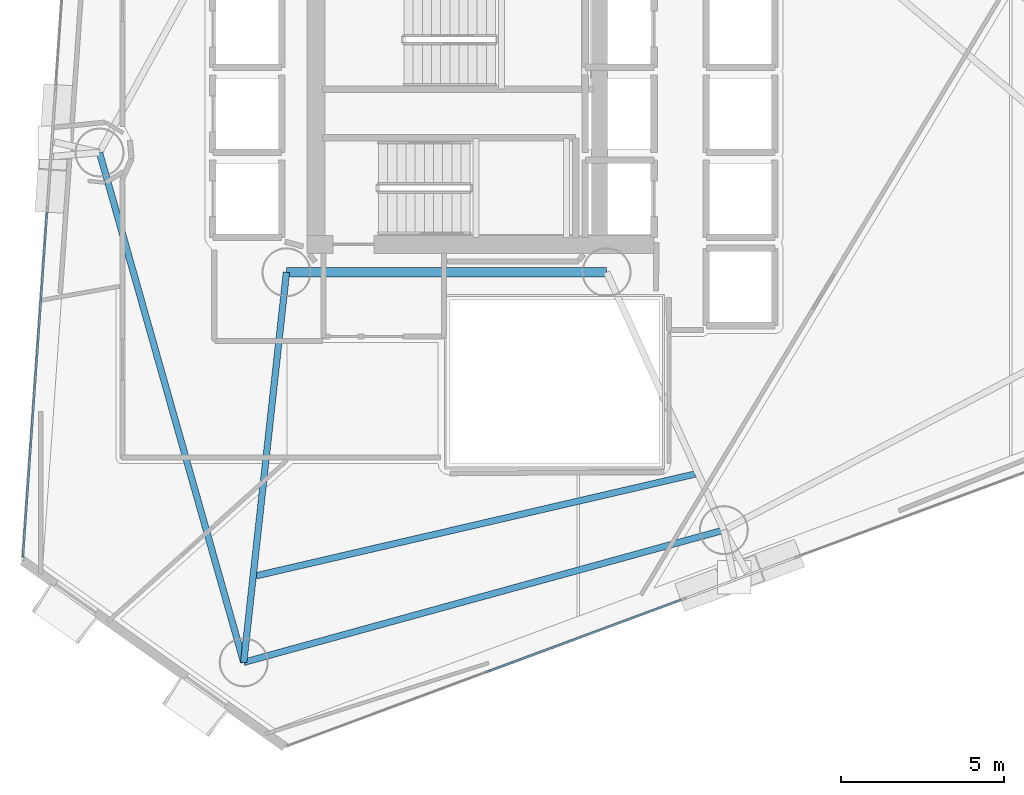
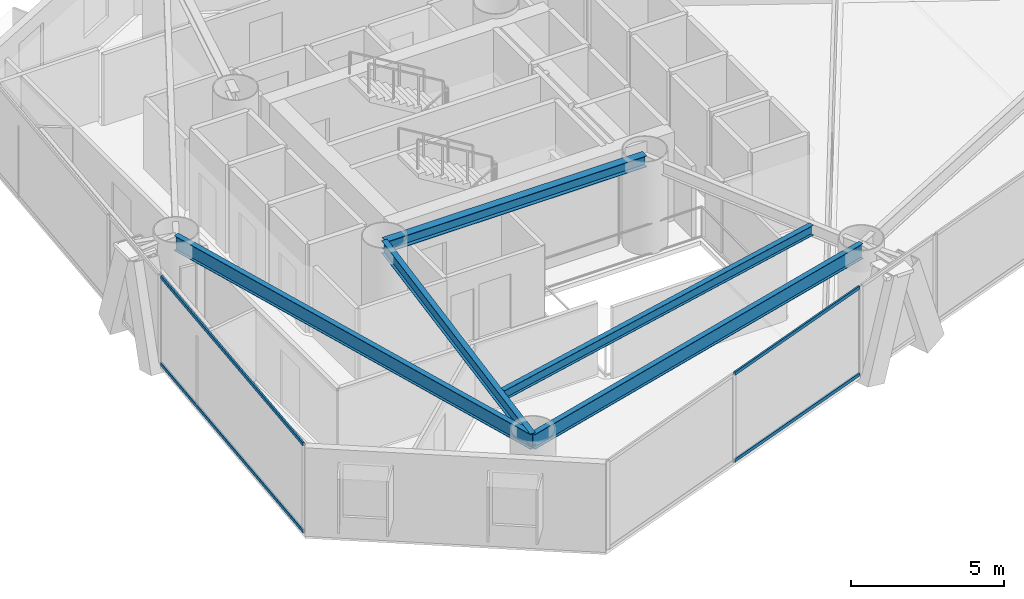
# One storey, part 3 of 21: 5 beams, 4 members, 2 elements without a shape of their own.
"""IFC4 building model written with IfcOpenShell, lengths in metres."""

from ifc_helpers import new_model, si_unit, direction, frame, origin, origin_2d, place, context, subcontext, project, spatial, hollow_rectangle, i_section, extrude, material, layer, layer_set, material_profile, profile_set, type_object, element, aggregate, save


model = new_model("IFC4")

# Units and contexts
model_context = context("Model", 3, precision=1e-05, world=origin(), true_north=direction((0.0, 1.0)))
body_context = subcontext(model_context, "Body", "Model", "MODEL_VIEW")
ifc_project = project(units=[si_unit("LENGTHUNIT", "METRE"), si_unit("AREAUNIT", "SQUARE_METRE"), si_unit("VOLUMEUNIT", "CUBIC_METRE"), si_unit("PLANEANGLEUNIT", "RADIAN"), si_unit("MASSUNIT", "GRAM", prefix="KILO")], contexts=[model_context])

# Site, building, storey
site_placement = place(None, origin())
site = spatial("IfcSite", under=ifc_project, at=site_placement, CompositionType="ELEMENT")
building_placement = place(site_placement, origin())
building = spatial("IfcBuilding", under=site, at=building_placement, Name="Qianvela Tower", CompositionType="ELEMENT")
storey_placement = place(building_placement, frame((0.0, 0.0, 127.39990234375)))
storey = spatial("IfcBuildingStorey", under=building, at=storey_placement, Name="L32", CompositionType="ELEMENT", Elevation=127.39990234375)

# Beams
ifc_material_1 = material(Name="Steel Q355B", Category="steel")
ifc_material_profile_1 = material_profile(ifc_material_1, i_section(OverallWidth=0.300048828125, OverallDepth=0.43994140625, WebThickness=0.010986328125, FlangeThickness=0.01806640625, at=origin_2d()), Name="HM440x300x11x18")
ifc_profile_set_1 = profile_set([ifc_material_profile_1], Name="Steel Q355B")
beam_type_1 = type_object("IfcBeamType", Name="BM-HM440-COLL", PredefinedType="BEAM", material=ifc_profile_set_1)
beam_1_placement = place(storey_placement, frame((28.60009765625, 23.85009765625, 3.298095703125), z_axis=(1.0, 0.0, 0.0), x_axis=(0.0, 1.0, 0.0)))
element("IfcBeam", 1, at=beam_1_placement, inside=storey, type_object=beam_type_1, Name="L32 Core Ring Collector Girder CC1", PredefinedType="BEAM", context=body_context, shape_type="SweptSolid", body=[
    extrude(i_section(OverallWidth=0.300048828125, OverallDepth=0.43994140625, WebThickness=0.010986328125, FlangeThickness=0.01806640625, at=origin_2d()), origin(), (0.0, 0.0, 1.0), 9.7998046875),
])
ifc_material_2 = material(Name="Steel Q355B", Category="steel")
ifc_material_profile_2 = material_profile(ifc_material_2, i_section(OverallWidth=0.199951171875, OverallDepth=0.39990234375, WebThickness=0.008056640625, FlangeThickness=0.012939453125, at=origin_2d()), Name="HN400x200x8x13")
ifc_profile_set_2 = profile_set([ifc_material_profile_2], Name="Steel Q355B")
beam_type_2 = type_object("IfcBeamType", Name="BM-HN400-JOIST", PredefinedType="JOIST", material=ifc_profile_set_2)
beam_2_placement = place(storey_placement, frame((27.67333984375, 14.5576171875, 3.318115234375), z_axis=(0.974157898668, 0.225868077567, 0.0), x_axis=(-0.225868077567, 0.974157898668, 0.0)))
element("IfcBeam", 2, at=beam_2_placement, inside=storey, type_object=beam_type_2, Name="L32 Secondary Composite Floor Joist 5.3", PredefinedType="JOIST", context=body_context, shape_type="SweptSolid", body=[
    extrude(i_section(OverallWidth=0.199951171875, OverallDepth=0.39990234375, WebThickness=0.008056640625, FlangeThickness=0.012939453125, at=origin_2d()), origin(), (0.0, 0.0, 1.0), 13.787841796875),
])
ifc_material_3 = material(Name="Steel Q355B", Category="steel")
ifc_material_profile_3 = material_profile(ifc_material_3, i_section(OverallWidth=0.199951171875, OverallDepth=0.5, WebThickness=0.010009765625, FlangeThickness=0.01611328125, at=origin_2d()), Name="HN500x200x10x16")
ifc_profile_set_3 = profile_set([ifc_material_profile_3], Name="Steel Q355B")
beam_type_3 = type_object("IfcBeamType", Name="BM-HN500-GIRD", PredefinedType="BEAM", material=ifc_profile_set_3)
beam_3_placement = place(storey_placement, frame((28.60009765625, 23.85009765625, 3.26806640625), z_axis=(-0.108894474914, -0.994053315136, 0.0), x_axis=(0.994053315136, -0.108894474914, 0.0)))
element("IfcBeam", 3, at=beam_3_placement, inside=storey, type_object=beam_type_3, Name="L32 Radial Primary Floor Girder 5", PredefinedType="BEAM", context=body_context, shape_type="SweptSolid", body=[
    extrude(i_section(OverallWidth=0.199951171875, OverallDepth=0.5, WebThickness=0.010009765625, FlangeThickness=0.01611328125, at=origin_2d()), origin(), (0.0, 0.0, 1.0), 12.0126953125),
])
ifc_material_4 = material(Name="Steel Q355B", Category="steel")
ifc_material_profile_4 = material_profile(ifc_material_4, i_section(OverallWidth=0.199951171875, OverallDepth=0.60009765625, WebThickness=0.010986328125, FlangeThickness=0.01708984375, at=origin_2d()), Name="HN600x200x11x17")
ifc_profile_set_4 = profile_set([ifc_material_profile_4], Name="Steel Q355B")
beam_type_4 = type_object("IfcBeamType", Name="BM-HN600-GIRD", PredefinedType="BEAM", material=ifc_profile_set_4)
beam_4_placement = place(storey_placement, frame((22.8779296875, 27.51611328125, 3.218017578125), z_axis=(0.272147602289, -0.962255518336, 0.0), x_axis=(0.962255518336, 0.272147602289, 0.0)))
element("IfcBeam", 4, at=beam_4_placement, inside=storey, type_object=beam_type_4, Name="L32 Perimeter Ring Spandrel Girder 4", PredefinedType="BEAM", context=body_context, shape_type="SweptSolid", body=[
    extrude(i_section(OverallWidth=0.199951171875, OverallDepth=0.60009765625, WebThickness=0.010986328125, FlangeThickness=0.01708984375, at=origin_2d()), origin(), (0.0, 0.0, 1.0), 16.219482421875),
])
beam_5_placement = place(storey_placement, frame((27.2919921875, 11.908935546875, 3.218017578125), z_axis=(0.964093212083, 0.265564075912, 0.0), x_axis=(-0.265564075912, 0.964093212083, 0.0)))
element("IfcBeam", 5, at=beam_5_placement, inside=storey, type_object=beam_type_4, Name="L32 Perimeter Ring Spandrel Girder 5", PredefinedType="BEAM", context=body_context, shape_type="SweptSolid", body=[
    extrude(i_section(OverallWidth=0.199951171875, OverallDepth=0.60009765625, WebThickness=0.010986328125, FlangeThickness=0.01708984375, at=origin_2d()), origin(), (0.0, 0.0, 1.0), 15.243408203125),
])

# Curtain wall, members
ifc_material_5 = material(Name="Anodised Architectural Aluminium and Low-E Glass", Category="aluminium")
ifc_layer = layer(ifc_material_5, 0.169921875)
ifc_layer_set = layer_set([ifc_layer], Name="Anodised Architectural Aluminium and Low-E Glass")
curtain_wall_type = type_object("IfcCurtainWallType", Name="CW-COLIV-Z34", PredefinedType="USERDEFINED", material=ifc_layer_set)
curtain_wall_1_placement = place(storey_placement, origin())
curtain_wall_1 = element("IfcCurtainWall", 6, at=curtain_wall_1_placement, inside=storey, type_object=curtain_wall_type, Name="L32 CW-COLIV-Z34 Curtain Wall 04C", ObjectType="CURTAIN_WALL_SYSTEM", PredefinedType="USERDEFINED")
ifc_material_6 = material(Name="Anodised Architectural Aluminium 6063-T6", Category="aluminium")
ifc_material_profile_5 = material_profile(ifc_material_6, hollow_rectangle(XDim=0.06494140625, YDim=0.1298828125, WallThickness=0.00439453125, at=origin_2d()), Name="ALU-TRAN-65x130")
ifc_profile_set_5 = profile_set([ifc_material_profile_5], Name="Anodised Architectural Aluminium 6063-T6")
member_type = type_object("IfcMemberType", Name="CW-COLIV-Z34-TRAN", PredefinedType="USERDEFINED", material=ifc_profile_set_5)
member_1_placement = place(storey_placement, frame((21.271484375, 25.6845703125, 0.03271484375), z_axis=(-0.069755852815, -0.997564093679, 0.0), x_axis=(0.997564093679, -0.069755852815, 0.0)))
member_1 = element("IfcMember", 7, at=member_1_placement, type_object=member_type, Name="CW-4 transom 1.1", ObjectType="TRANSOM", PredefinedType="USERDEFINED", context=body_context, shape_type="SweptSolid", body=[
    extrude(hollow_rectangle(XDim=0.06494140625, YDim=0.1298828125, WallThickness=0.00439453125, at=origin_2d()), origin(), (0.0, 0.0, 1.0), 10.576904296875),
])
member_2_placement = place(storey_placement, frame((21.271484375, 25.6845703125, 3.487548828125), z_axis=(-0.069755852815, -0.997564093679, 0.0), x_axis=(0.997564093679, -0.069755852815, 0.0)))
member_2 = element("IfcMember", 8, at=member_2_placement, type_object=member_type, Name="CW-4 transom 1.2", ObjectType="TRANSOM", PredefinedType="USERDEFINED", context=body_context, shape_type="SweptSolid", body=[
    extrude(hollow_rectangle(XDim=0.06494140625, YDim=0.1298828125, WallThickness=0.00439453125, at=origin_2d()), origin(), (0.0, 0.0, 1.0), 10.576904296875),
])
aggregate(curtain_wall_1, [member_1, member_2])

curtain_wall_2_placement = place(storey_placement, origin())
curtain_wall_2 = element("IfcCurtainWall", 9, at=curtain_wall_2_placement, inside=storey, type_object=curtain_wall_type, Name="L32 CW-COLIV-Z34 Curtain Wall 06A", ObjectType="CURTAIN_WALL_SYSTEM", PredefinedType="USERDEFINED")
member_3_placement = place(storey_placement, frame((34.692138671875, 11.59912109375, 0.03271484375), z_axis=(0.937570248418, 0.347795959265, 0.0), x_axis=(-0.347795959265, 0.937570248418, 0.0)))
member_3 = element("IfcMember", 10, at=member_3_placement, type_object=member_type, Name="CW-4 transom 2.1", ObjectType="TRANSOM", PredefinedType="USERDEFINED", context=body_context, shape_type="SweptSolid", body=[
    extrude(hollow_rectangle(XDim=0.06494140625, YDim=0.1298828125, WallThickness=0.00439453125, at=origin_2d()), origin(), (0.0, 0.0, 1.0), 6.37255859375),
])
member_4_placement = place(storey_placement, frame((34.692138671875, 11.59912109375, 3.487548828125), z_axis=(0.937570248418, 0.347795959265, 0.0), x_axis=(-0.347795959265, 0.937570248418, 0.0)))
member_4 = element("IfcMember", 11, at=member_4_placement, type_object=member_type, Name="CW-4 transom 2.2", ObjectType="TRANSOM", PredefinedType="USERDEFINED", context=body_context, shape_type="SweptSolid", body=[
    extrude(hollow_rectangle(XDim=0.06494140625, YDim=0.1298828125, WallThickness=0.00439453125, at=origin_2d()), origin(), (0.0, 0.0, 1.0), 6.37255859375),
])
aggregate(curtain_wall_2, [member_3, member_4])

save(model, "model.ifc")
